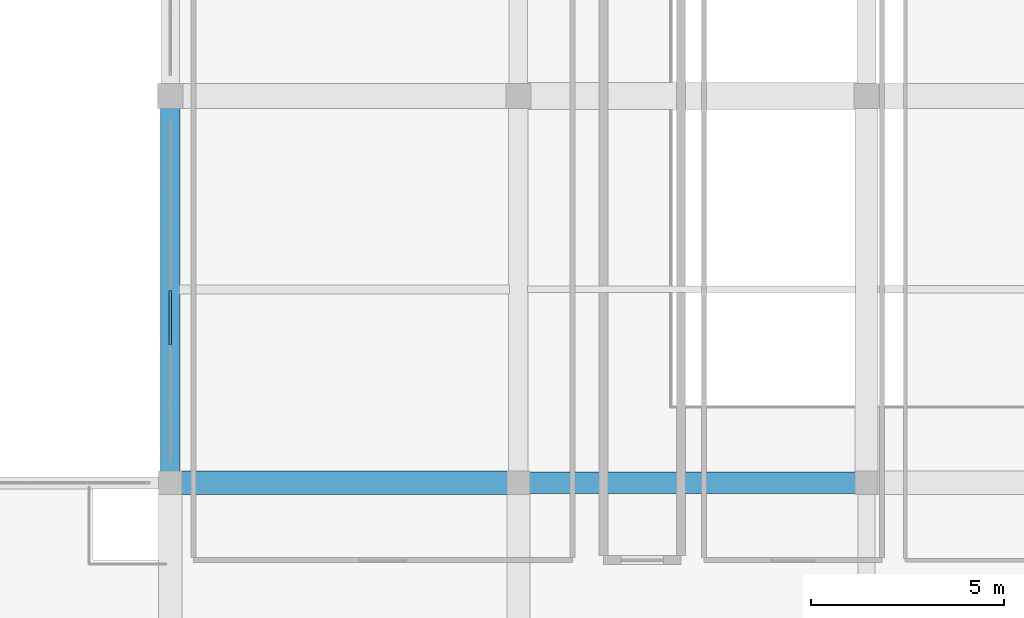
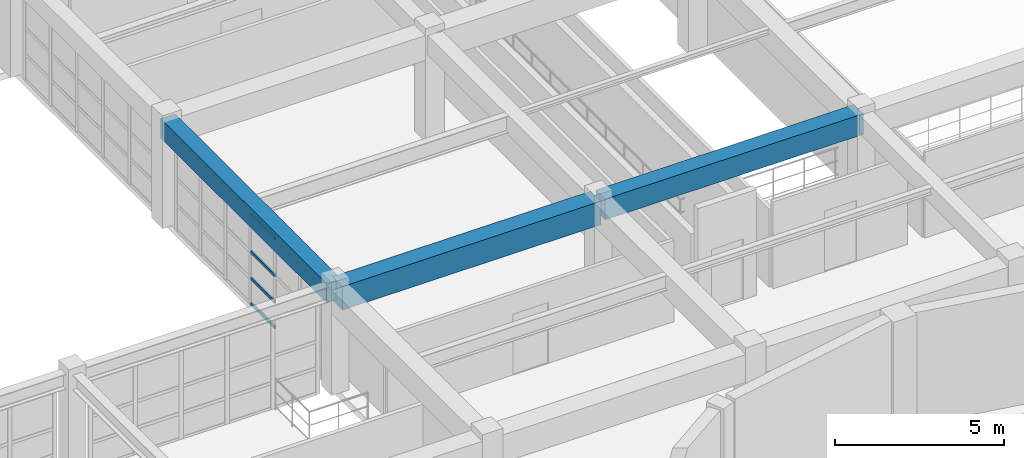
# One storey, part 58 of 110: 4 members, 3 beams, 1 element without a shape of its own.
"""IFC4 building model written with IfcOpenShell, lengths in metres."""

from ifc_helpers import new_model, si_unit, direction, frame, origin, origin_2d, place, context, subcontext, project, spatial, rectangle, hollow_rectangle, extrude, material, material_profile, profile_set, type_object, element, aggregate, save


model = new_model("IFC4")

# Units and contexts
model_context = context("Model", 3, precision=1e-05, world=origin(), true_north=direction((0.0, 1.0)))
body_context = subcontext(model_context, "Body", "Model", "MODEL_VIEW")
ifc_project = project(units=[si_unit("LENGTHUNIT", "METRE"), si_unit("AREAUNIT", "SQUARE_METRE"), si_unit("VOLUMEUNIT", "CUBIC_METRE"), si_unit("PLANEANGLEUNIT", "RADIAN"), si_unit("MASSUNIT", "GRAM", prefix="KILO")], contexts=[model_context])

# Site, building, storey
site_placement = place(None, origin())
site = spatial("IfcSite", under=ifc_project, at=site_placement, CompositionType="ELEMENT")
building_placement = place(site_placement, origin())
building = spatial("IfcBuilding", under=site, at=building_placement, Name="Miravela Opera House", CompositionType="ELEMENT")
storey_placement = place(building_placement, frame((0.0, 0.0, 13.60009765625)))
storey = spatial("IfcBuildingStorey", under=building, at=storey_placement, Name="L03", CompositionType="ELEMENT", Elevation=13.60009765625)

# Curtain wall, members
ifc_material_1 = material(Name="Anodised architectural bronze aluminium 6063-T6", Category="aluminium")
curtain_wall_type = type_object("IfcCurtainWallType", Name="ARC-CW-05", PredefinedType="NOTDEFINED", material=ifc_material_1)
curtain_wall_placement = place(storey_placement, origin())
curtain_wall = element("IfcCurtainWall", 1, at=curtain_wall_placement, inside=storey, type_object=curtain_wall_type, Name="Courtyard Arcade Curtain Wall CW-L03-111", PredefinedType="NOTDEFINED")
ifc_material_profile_1 = material_profile(ifc_material_1, hollow_rectangle(XDim=0.06005859375, YDim=0.114990234375, WallThickness=0.00390625, InnerFilletRadius=0.001953125, OuterFilletRadius=0.00390625, at=origin_2d()), Name="CWT-60X115")
ifc_profile_set_1 = profile_set([ifc_material_profile_1])
member_type = type_object("IfcMemberType", Name="ARC-CWT-115", PredefinedType="USERDEFINED", material=ifc_profile_set_1)
member_1_placement = place(storey_placement, frame((63.0, 87.556640625, 0.02978515625), z_axis=(0.0, 1.0, 0.0), x_axis=(-1.0, 0.0, 0.0)))
member_1 = element("IfcMember", 2, at=member_1_placement, type_object=member_type, Name="CW-05 transom 3.1", ObjectType="TRANSOM", PredefinedType="USERDEFINED", context=body_context, shape_type="SweptSolid", body=[
    extrude(hollow_rectangle(XDim=0.06005859375, YDim=0.114990234375, WallThickness=0.00390625, InnerFilletRadius=0.001953125, OuterFilletRadius=0.00390625, at=origin_2d()), origin(), (0.0, 0.0, 1.0), 1.413330078125),
])
member_2_placement = place(storey_placement, frame((63.0, 87.556640625, 0.949951171875), z_axis=(0.0, 1.0, 0.0), x_axis=(-1.0, 0.0, 0.0)))
member_2 = element("IfcMember", 3, at=member_2_placement, type_object=member_type, Name="CW-05 transom 3.2", ObjectType="TRANSOM", PredefinedType="USERDEFINED", context=body_context, shape_type="SweptSolid", body=[
    extrude(hollow_rectangle(XDim=0.06005859375, YDim=0.114990234375, WallThickness=0.00390625, InnerFilletRadius=0.001953125, OuterFilletRadius=0.00390625, at=origin_2d()), origin(), (0.0, 0.0, 1.0), 1.413330078125),
])
member_3_placement = place(storey_placement, frame((63.0, 87.556640625, 1.908203125), z_axis=(0.0, 1.0, 0.0), x_axis=(-1.0, 0.0, 0.0)))
member_3 = element("IfcMember", 4, at=member_3_placement, type_object=member_type, Name="CW-05 transom 3.3", ObjectType="TRANSOM", PredefinedType="USERDEFINED", context=body_context, shape_type="SweptSolid", body=[
    extrude(hollow_rectangle(XDim=0.06005859375, YDim=0.114990234375, WallThickness=0.00390625, InnerFilletRadius=0.001953125, OuterFilletRadius=0.00390625, at=origin_2d()), origin(), (0.0, 0.0, 1.0), 1.413330078125),
])
member_4_placement = place(storey_placement, frame((63.0, 87.556640625, 3.260009765625), z_axis=(0.0, 1.0, 0.0), x_axis=(-1.0, 0.0, 0.0)))
member_4 = element("IfcMember", 5, at=member_4_placement, type_object=member_type, Name="CW-05 transom 3.4", ObjectType="TRANSOM", PredefinedType="USERDEFINED", context=body_context, shape_type="SweptSolid", body=[
    extrude(hollow_rectangle(XDim=0.06005859375, YDim=0.114990234375, WallThickness=0.00390625, InnerFilletRadius=0.001953125, OuterFilletRadius=0.00390625, at=origin_2d()), origin(), (0.0, 0.0, 1.0), 1.413330078125),
])
aggregate(curtain_wall, [member_1, member_2, member_3, member_4])

# Beams
ifc_material_2 = material(Name="Concrete C35/45", Category="concrete")
ifc_material_profile_2 = material_profile(ifc_material_2, rectangle(XDim=0.5, YDim=0.699951171875, at=origin_2d()), Name="RC-BM-500X700")
ifc_profile_set_2 = profile_set([ifc_material_profile_2])
beam_type_1 = type_object("IfcBeamType", Name="STR-BM-RC500X700", PredefinedType="BEAM", material=ifc_profile_set_2)
beam_1_placement = place(storey_placement, frame((63.0, 84.080078125, 3.4599609375), z_axis=(0.0, 1.0, 0.0), x_axis=(-1.0, 0.0, 0.0)))
element("IfcBeam", 6, at=beam_1_placement, inside=storey, type_object=beam_type_1, Name="Floor Girder L03 8/J-K", PredefinedType="BEAM", context=body_context, shape_type="SweptSolid", body=[
    extrude(rectangle(XDim=0.5, YDim=0.699951171875, at=origin_2d()), origin(), (0.0, 0.0, 1.0), 9.83984375),
])
ifc_material_profile_3 = material_profile(ifc_material_2, rectangle(XDim=0.550048828125, YDim=0.75, at=origin_2d()), Name="RC-BM-550X750")
ifc_profile_set_3 = profile_set([ifc_material_profile_3])
beam_type_2 = type_object("IfcBeamType", Name="STR-BM-RC550X750", PredefinedType="BEAM", material=ifc_profile_set_3)
beam_2_placement = place(storey_placement, frame((72.080078125, 84.0, 3.434814453125), z_axis=(1.0, 0.0, 0.0), x_axis=(0.0, 1.0, 0.0)))
element("IfcBeam", 7, at=beam_2_placement, inside=storey, type_object=beam_type_2, Name="Floor Girder L03 9-10/J", PredefinedType="BEAM", context=body_context, shape_type="SweptSolid", body=[
    extrude(rectangle(XDim=0.550048828125, YDim=0.75, at=origin_2d()), origin(), (0.0, 0.0, 1.0), 8.83984375),
])
ifc_material_3 = material(Name="Concrete C40/50", Category="concrete")
ifc_material_profile_4 = material_profile(ifc_material_3, rectangle(XDim=0.60009765625, YDim=0.85009765625, at=origin_2d()), Name="RC-BM-600X850")
ifc_profile_set_4 = profile_set([ifc_material_profile_4])
beam_type_3 = type_object("IfcBeamType", Name="STR-BM-RC600X850", PredefinedType="BEAM", material=ifc_profile_set_4)
beam_3_placement = place(storey_placement, frame((63.080078125, 84.0, 3.385009765625), z_axis=(1.0, 0.0, 0.0), x_axis=(0.0, 1.0, 0.0)))
element("IfcBeam", 8, at=beam_3_placement, inside=storey, type_object=beam_type_3, Name="Floor Girder L03 8-9/J", PredefinedType="BEAM", context=body_context, shape_type="SweptSolid", body=[
    extrude(rectangle(XDim=0.60009765625, YDim=0.85009765625, at=origin_2d()), origin(), (0.0, 0.0, 1.0), 8.83984375),
])

save(model, "model.ifc")
